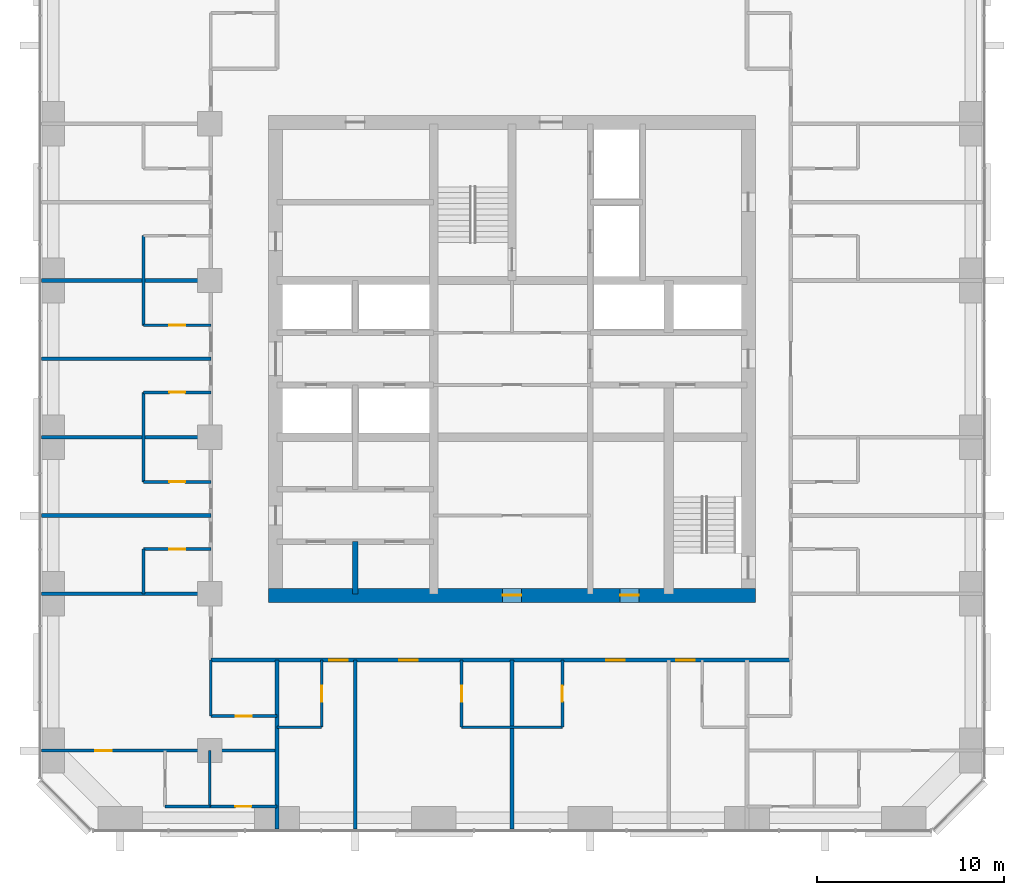
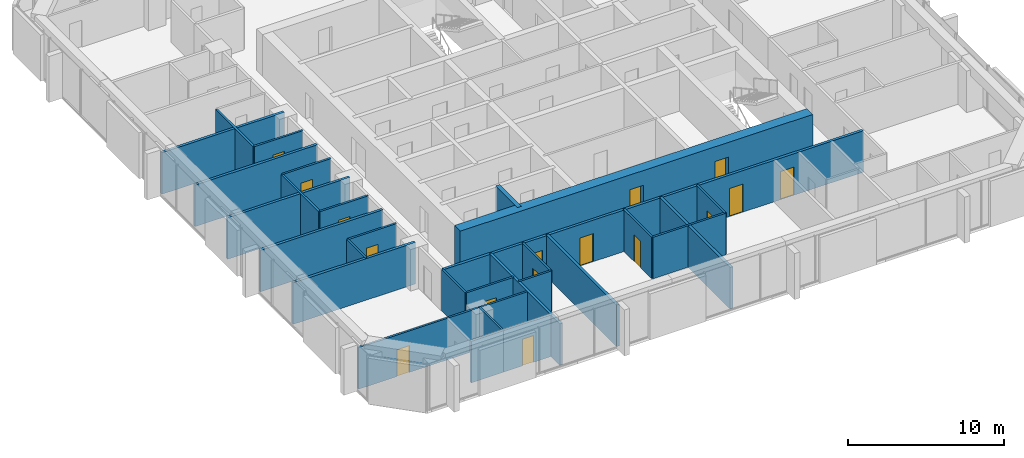
# One storey, part 8 of 13: 29 walls, 16 doors, 16 openings.
"""IFC4 building model written with IfcOpenShell, lengths in metres."""

from ifc_helpers import new_model, si_unit, direction, frame, frame_2d, origin, place, context, subcontext, project, spatial, rectangle, extrude, material, layer, layer_set, type_object, element, fill, save


model = new_model("IFC4")

# Units and contexts
model_context = context("Model", 3, precision=1e-05, world=origin(), true_north=direction((0.0, 1.0)))
body_context = subcontext(model_context, "Body", "Model", "MODEL_VIEW")
ifc_project = project(units=[si_unit("LENGTHUNIT", "METRE"), si_unit("AREAUNIT", "SQUARE_METRE"), si_unit("VOLUMEUNIT", "CUBIC_METRE"), si_unit("PLANEANGLEUNIT", "RADIAN"), si_unit("MASSUNIT", "GRAM", prefix="KILO")], contexts=[model_context])

# Site, building, storey
site_placement = place(None, origin())
site = spatial("IfcSite", under=ifc_project, at=site_placement, CompositionType="ELEMENT")
building_placement = place(site_placement, origin())
building = spatial("IfcBuilding", under=site, at=building_placement, Name="Dunama Terrace Hotel", CompositionType="ELEMENT")
storey_placement = place(building_placement, frame((0.0, 0.0, 166.199951171875)))
storey = spatial("IfcBuildingStorey", under=building, at=storey_placement, Name="L42", CompositionType="ELEMENT", Elevation=166.199951171875)

# Walls
ifc_material_1 = material(Name="Gypsum board partition", Category="masonry")
ifc_layer_1 = layer(ifc_material_1, 0.14990234375)
ifc_layer_set_1 = layer_set([ifc_layer_1], Name="Bathroom partition 150")
wall_type_1 = type_object("IfcWallType", Name="Bathroom partition 150", PredefinedType="PARTITIONING", material=ifc_layer_set_1)
wall_1_placement = place(storey_placement, frame((9.64990234375, 16.800048828125, 0.0), z_axis=(0.0, 0.0, 1.0), x_axis=(0.0, 1.0, 0.0)))
element("IfcWall", 1, at=wall_1_placement, inside=storey, type_object=wall_type_1, Name="Bathroom partition 150 L42", PredefinedType="PARTITIONING", context=body_context, shape_type="SweptSolid", body=[
    extrude(rectangle(XDim=2.39990234375, YDim=0.14990234375, at=frame_2d((1.199951171875, 0.0))), origin(), (0.0, 0.0, 1.0), 3.25),
])
for number, where, z_axis, x_axis, name in (
    (2, (9.64990234375, 22.800048828125, 0.0), (0.0, 0.0, 1.0), (0.0, 1.0, 0.0), "Bathroom partition 150 L42"),
    (3, (9.64990234375, 31.199951171875, 0.0), (0.0, 0.0, 1.0), (0.0, 1.0, 0.0), "Bathroom partition 150 L42"),
):
    element("IfcWall", number, at=place(storey_placement, frame(where, z_axis=z_axis, x_axis=x_axis)), inside=storey, type_object=wall_type_1, Name=name, PredefinedType="PARTITIONING", context=body_context, shape_type="SweptSolid", body=[
        extrude(rectangle(XDim=4.800048828125, YDim=0.14990234375, at=frame_2d((2.39990234375, 0.0))), origin(), (0.0, 0.0, 1.0), 3.25),
    ])
wall_2_placement = place(storey_placement, frame((13.25, 10.25, 0.0), z_axis=(0.0, 0.0, 1.0), x_axis=(0.0, 1.0, 0.0)))
element("IfcWall", 4, at=wall_2_placement, inside=storey, type_object=wall_type_1, Name="Bathroom partition 150 L42", PredefinedType="PARTITIONING", context=body_context, shape_type="SweptSolid", body=[
    extrude(rectangle(XDim=3.0, YDim=0.14990234375, at=frame_2d((1.5, 0.0))), origin(), (0.0, 0.0, 1.0), 3.25),
])

# Wall, opening, door
wall_3_placement = place(storey_placement, frame((19.199951171875, 9.64990234375, 0.0), z_axis=(0.0, 0.0, 1.0), x_axis=(0.0, 1.0, 0.0)))
wall_3 = element("IfcWall", 5, at=wall_3_placement, inside=storey, type_object=wall_type_1, Name="Bathroom partition 150 L42", PredefinedType="PARTITIONING", context=body_context, shape_type="SweptSolid", body=[
    extrude(rectangle(XDim=3.60009765625, YDim=0.14990234375, at=frame_2d((1.800048828125, 0.0))), origin(), (0.0, 0.0, 1.0), 3.25),
])
opening_1_placement = place(wall_3_placement, frame((1.375, 0.0, 0.0)))
opening_1 = element("IfcOpeningElement", 6, at=opening_1_placement, cuts=wall_3, Name="Opening L42-44-010", PredefinedType="OPENING", context=body_context, shape_type="SweptSolid", body=[
    extrude(rectangle(XDim=0.85009765625, YDim=2.10009765625, at=frame_2d((0.425048828125, 1.050048828125))), frame((0.0, 0.0849609375, 0.0), z_axis=(0.0, -1.0, 0.0), x_axis=(1.0, 0.0, 0.0)), (0.0, 0.0, 1.0), 0.169921875),
])
ifc_material_2 = material(Name="Timber door with steel frame", Category="steel")
door_type_1 = type_object("IfcDoorType", Name="Bathroom door 850", OperationType="SINGLE_SWING_LEFT", PredefinedType="DOOR", material=ifc_material_2)
door_1_placement = place(opening_1_placement, origin())
door_1 = element("IfcDoor", 7, at=door_1_placement, inside=storey, type_object=door_type_1, Name="Door to en-suite bathroom L42-44-010, type D2", OperationType="SINGLE_SWING_RIGHT", OverallHeight=2.10009765625, OverallWidth=0.85009765625, PredefinedType="DOOR", context=body_context, shape_type="SweptSolid", body=[
    extrude(rectangle(XDim=0.85009765625, YDim=2.10009765625, at=frame_2d((0.425048828125, 1.050048828125))), frame((0.0, 0.02490234375, 0.0), z_axis=(0.0, -1.0, 0.0), x_axis=(1.0, 0.0, 0.0)), (0.0, 0.0, 1.0), 0.050048828125),
])
fill(opening_1, door_1)

wall_4_placement = place(storey_placement, frame((26.699951171875, 9.64990234375, 0.0), z_axis=(0.0, 0.0, 1.0), x_axis=(0.0, 1.0, 0.0)))
wall_4 = element("IfcWall", 8, at=wall_4_placement, inside=storey, type_object=wall_type_1, Name="Bathroom partition 150 L42", PredefinedType="PARTITIONING", context=body_context, shape_type="SweptSolid", body=[
    extrude(rectangle(XDim=3.60009765625, YDim=0.14990234375, at=frame_2d((1.800048828125, 0.0))), origin(), (0.0, 0.0, 1.0), 3.25),
])
opening_2_placement = place(wall_4_placement, frame((1.375, 0.0, 0.0)))
opening_2 = element("IfcOpeningElement", 9, at=opening_2_placement, cuts=wall_4, Name="Opening L42-44-012", PredefinedType="OPENING", context=body_context, shape_type="SweptSolid", body=[
    extrude(rectangle(XDim=0.85009765625, YDim=2.10009765625, at=frame_2d((0.425048828125, 1.050048828125))), frame((0.0, 0.0849609375, 0.0), z_axis=(0.0, -1.0, 0.0), x_axis=(1.0, 0.0, 0.0)), (0.0, 0.0, 1.0), 0.169921875),
])
door_2_placement = place(opening_2_placement, frame((0.85009765625, 0.0, 0.0), z_axis=(0.0, 0.0, 1.0), x_axis=(-1.0, 0.0, 0.0)))
door_2 = element("IfcDoor", 10, at=door_2_placement, inside=storey, type_object=door_type_1, Name="Door to en-suite bathroom L42-44-012, type D2", OperationType="SINGLE_SWING_LEFT", OverallHeight=2.10009765625, OverallWidth=0.85009765625, PredefinedType="DOOR", context=body_context, shape_type="SweptSolid", body=[
    extrude(rectangle(XDim=0.85009765625, YDim=2.10009765625, at=frame_2d((0.425048828125, 1.050048828125))), frame((0.0, 0.025146484375, 0.0), z_axis=(0.0, -1.0, 0.0), x_axis=(1.0, 0.0, 0.0)), (0.0, 0.0, 1.0), 0.050048828125),
])
fill(opening_2, door_2)

wall_5_placement = place(storey_placement, frame((32.10009765625, 9.64990234375, 0.0), z_axis=(0.0, 0.0, 1.0), x_axis=(0.0, 1.0, 0.0)))
wall_5 = element("IfcWall", 11, at=wall_5_placement, inside=storey, type_object=wall_type_1, Name="Bathroom partition 150 L42", PredefinedType="PARTITIONING", context=body_context, shape_type="SweptSolid", body=[
    extrude(rectangle(XDim=3.60009765625, YDim=0.14990234375, at=frame_2d((1.800048828125, 0.0))), origin(), (0.0, 0.0, 1.0), 3.25),
])
opening_3_placement = place(wall_5_placement, frame((1.375, 0.0, 0.0)))
opening_3 = element("IfcOpeningElement", 12, at=opening_3_placement, cuts=wall_5, Name="Opening L42-44-014", PredefinedType="OPENING", context=body_context, shape_type="SweptSolid", body=[
    extrude(rectangle(XDim=0.85009765625, YDim=2.10009765625, at=frame_2d((0.425048828125, 1.050048828125))), frame((0.0, 0.0849609375, 0.0), z_axis=(0.0, -1.0, 0.0), x_axis=(1.0, 0.0, 0.0)), (0.0, 0.0, 1.0), 0.169921875),
])
door_3_placement = place(opening_3_placement, origin())
door_3 = element("IfcDoor", 13, at=door_3_placement, inside=storey, type_object=door_type_1, Name="Door to en-suite bathroom L42-44-014, type D2", OperationType="SINGLE_SWING_RIGHT", OverallHeight=2.10009765625, OverallWidth=0.85009765625, PredefinedType="DOOR", context=body_context, shape_type="SweptSolid", body=[
    extrude(rectangle(XDim=0.85009765625, YDim=2.10009765625, at=frame_2d((0.425048828125, 1.050048828125))), frame((0.0, 0.02490234375, 0.0), z_axis=(0.0, -1.0, 0.0), x_axis=(1.0, 0.0, 0.0)), (0.0, 0.0, 1.0), 0.050048828125),
])
fill(opening_3, door_3)

wall_6_placement = place(storey_placement, frame((13.199951171875, 5.39990234375, 0.0), z_axis=(0.0, 0.0, 1.0), x_axis=(1.0, 0.0, 0.0)))
wall_6 = element("IfcWall", 14, at=wall_6_placement, inside=storey, type_object=wall_type_1, Name="Bathroom partition 150 L42", PredefinedType="PARTITIONING", context=body_context, shape_type="SweptSolid", body=[
    extrude(rectangle(XDim=3.60009765625, YDim=0.14990234375, at=frame_2d((1.800048828125, 0.0))), origin(), (0.0, 0.0, 1.0), 3.25),
])
opening_4_placement = place(wall_6_placement, frame((1.375, 0.0, 0.0)))
opening_4 = element("IfcOpeningElement", 15, at=opening_4_placement, cuts=wall_6, Name="Opening L42-44-041", PredefinedType="OPENING", context=body_context, shape_type="SweptSolid", body=[
    extrude(rectangle(XDim=0.85009765625, YDim=2.10009765625, at=frame_2d((0.425048828125, 1.050048828125))), frame((0.0, 0.0849609375, 0.0), z_axis=(0.0, -1.0, 0.0), x_axis=(1.0, 0.0, 0.0)), (0.0, 0.0, 1.0), 0.169921875),
])
door_4_placement = place(opening_4_placement, origin())
door_4 = element("IfcDoor", 16, at=door_4_placement, inside=storey, type_object=door_type_1, Name="Door to en-suite bathroom L42-44-041, type D2", OperationType="SINGLE_SWING_RIGHT", OverallHeight=2.10009765625, OverallWidth=0.85009765625, PredefinedType="DOOR", context=body_context, shape_type="SweptSolid", body=[
    extrude(rectangle(XDim=0.85009765625, YDim=2.10009765625, at=frame_2d((0.425048828125, 1.050048828125))), frame((0.0, 0.02490234375, 0.0), z_axis=(0.0, -1.0, 0.0), x_axis=(1.0, 0.0, 0.0)), (0.0, 0.0, 1.0), 0.050048828125),
])
fill(opening_4, door_4)

# Walls
wall_7_placement = place(storey_placement, frame((16.800048828125, 9.64990234375, 0.0), z_axis=(0.0, 0.0, 1.0), x_axis=(1.0, 0.0, 0.0)))
element("IfcWall", 17, at=wall_7_placement, inside=storey, type_object=wall_type_1, Name="Bathroom partition 150 L42", PredefinedType="PARTITIONING", context=body_context, shape_type="SweptSolid", body=[
    extrude(rectangle(XDim=2.39990234375, YDim=0.14990234375, at=frame_2d((1.199951171875, 0.0))), origin(), (0.0, 0.0, 1.0), 3.25),
])
wall_8_placement = place(storey_placement, frame((26.699951171875, 9.64990234375, 0.0), z_axis=(0.0, 0.0, 1.0), x_axis=(1.0, 0.0, 0.0)))
element("IfcWall", 18, at=wall_8_placement, inside=storey, type_object=wall_type_1, Name="Bathroom partition 150 L42", PredefinedType="PARTITIONING", context=body_context, shape_type="SweptSolid", body=[
    extrude(rectangle(XDim=5.400146484375, YDim=0.14990234375, at=frame_2d((2.7001953125, 0.0))), origin(), (0.0, 0.0, 1.0), 3.25),
])

# Wall, opening, door
wall_9_placement = place(storey_placement, frame((13.25, 10.25, 0.0), z_axis=(0.0, 0.0, 1.0), x_axis=(1.0, 0.0, 0.0)))
wall_9 = element("IfcWall", 19, at=wall_9_placement, inside=storey, type_object=wall_type_1, Name="Bathroom partition 150 L42", PredefinedType="PARTITIONING", context=body_context, shape_type="SweptSolid", body=[
    extrude(rectangle(XDim=3.550048828125, YDim=0.14990234375, at=frame_2d((1.77490234375, 0.0))), origin(), (0.0, 0.0, 1.0), 3.25),
])
opening_5_placement = place(wall_9_placement, frame((1.35009765625, 0.0, 0.0)))
opening_5 = element("IfcOpeningElement", 20, at=opening_5_placement, cuts=wall_9, Name="Opening L42-44-039", PredefinedType="OPENING", context=body_context, shape_type="SweptSolid", body=[
    extrude(rectangle(XDim=0.85009765625, YDim=2.10009765625, at=frame_2d((0.425048828125, 1.050048828125))), frame((0.0, 0.0849609375, 0.0), z_axis=(0.0, -1.0, 0.0), x_axis=(1.0, 0.0, 0.0)), (0.0, 0.0, 1.0), 0.169921875),
])
door_5_placement = place(opening_5_placement, origin())
door_5 = element("IfcDoor", 21, at=door_5_placement, inside=storey, type_object=door_type_1, Name="Door to powder room L42-44-039, type D2", OperationType="SINGLE_SWING_RIGHT", OverallHeight=2.10009765625, OverallWidth=0.85009765625, PredefinedType="DOOR", context=body_context, shape_type="SweptSolid", body=[
    extrude(rectangle(XDim=0.85009765625, YDim=2.10009765625, at=frame_2d((0.425048828125, 1.050048828125))), frame((0.0, 0.02490234375, 0.0), z_axis=(0.0, -1.0, 0.0), x_axis=(1.0, 0.0, 0.0)), (0.0, 0.0, 1.0), 0.050048828125),
])
fill(opening_5, door_5)

wall_10_placement = place(storey_placement, frame((9.64990234375, 19.199951171875, 0.0), z_axis=(0.0, 0.0, 1.0), x_axis=(1.0, 0.0, 0.0)))
wall_10 = element("IfcWall", 22, at=wall_10_placement, inside=storey, type_object=wall_type_1, Name="Bathroom partition 150 L42", PredefinedType="PARTITIONING", context=body_context, shape_type="SweptSolid", body=[
    extrude(rectangle(XDim=3.60009765625, YDim=0.14990234375, at=frame_2d((1.800048828125, 0.0))), origin(), (0.0, 0.0, 1.0), 3.25),
])
opening_6_placement = place(wall_10_placement, frame((1.375, 0.0, 0.0)))
opening_6 = element("IfcOpeningElement", 23, at=opening_6_placement, cuts=wall_10, Name="Opening L42-44-027", PredefinedType="OPENING", context=body_context, shape_type="SweptSolid", body=[
    extrude(rectangle(XDim=0.85009765625, YDim=2.10009765625, at=frame_2d((0.425048828125, 1.050048828125))), frame((0.0, 0.0849609375, 0.0), z_axis=(0.0, -1.0, 0.0), x_axis=(1.0, 0.0, 0.0)), (0.0, 0.0, 1.0), 0.169921875),
])
door_6_placement = place(opening_6_placement, frame((0.85009765625, 0.0, 0.0), z_axis=(0.0, 0.0, 1.0), x_axis=(-1.0, 0.0, 0.0)))
door_6 = element("IfcDoor", 24, at=door_6_placement, inside=storey, type_object=door_type_1, Name="Door to en-suite bathroom L42-44-027, type D2", OperationType="SINGLE_SWING_LEFT", OverallHeight=2.10009765625, OverallWidth=0.85009765625, PredefinedType="DOOR", context=body_context, shape_type="SweptSolid", body=[
    extrude(rectangle(XDim=0.85009765625, YDim=2.10009765625, at=frame_2d((0.425048828125, 1.050048828125))), frame((0.0, 0.025146484375, 0.0), z_axis=(0.0, -1.0, 0.0), x_axis=(1.0, 0.0, 0.0)), (0.0, 0.0, 1.0), 0.050048828125),
])
fill(opening_6, door_6)

wall_11_placement = place(storey_placement, frame((9.64990234375, 22.800048828125, 0.0), z_axis=(0.0, 0.0, 1.0), x_axis=(1.0, 0.0, 0.0)))
wall_11 = element("IfcWall", 25, at=wall_11_placement, inside=storey, type_object=wall_type_1, Name="Bathroom partition 150 L42", PredefinedType="PARTITIONING", context=body_context, shape_type="SweptSolid", body=[
    extrude(rectangle(XDim=3.60009765625, YDim=0.14990234375, at=frame_2d((1.800048828125, 0.0))), origin(), (0.0, 0.0, 1.0), 3.25),
])
opening_7_placement = place(wall_11_placement, frame((1.375, 0.0, 0.0)))
opening_7 = element("IfcOpeningElement", 26, at=opening_7_placement, cuts=wall_11, Name="Opening L42-44-029", PredefinedType="OPENING", context=body_context, shape_type="SweptSolid", body=[
    extrude(rectangle(XDim=0.85009765625, YDim=2.10009765625, at=frame_2d((0.425048828125, 1.050048828125))), frame((0.0, 0.0849609375, 0.0), z_axis=(0.0, -1.0, 0.0), x_axis=(1.0, 0.0, 0.0)), (0.0, 0.0, 1.0), 0.169921875),
])
door_7_placement = place(opening_7_placement, origin())
door_7 = element("IfcDoor", 27, at=door_7_placement, inside=storey, type_object=door_type_1, Name="Door to en-suite bathroom L42-44-029, type D2", OperationType="SINGLE_SWING_RIGHT", OverallHeight=2.10009765625, OverallWidth=0.85009765625, PredefinedType="DOOR", context=body_context, shape_type="SweptSolid", body=[
    extrude(rectangle(XDim=0.85009765625, YDim=2.10009765625, at=frame_2d((0.425048828125, 1.050048828125))), frame((0.0, 0.02490234375, 0.0), z_axis=(0.0, -1.0, 0.0), x_axis=(1.0, 0.0, 0.0)), (0.0, 0.0, 1.0), 0.050048828125),
])
fill(opening_7, door_7)

wall_12_placement = place(storey_placement, frame((9.64990234375, 27.60009765625, 0.0), z_axis=(0.0, 0.0, 1.0), x_axis=(1.0, 0.0, 0.0)))
wall_12 = element("IfcWall", 28, at=wall_12_placement, inside=storey, type_object=wall_type_1, Name="Bathroom partition 150 L42", PredefinedType="PARTITIONING", context=body_context, shape_type="SweptSolid", body=[
    extrude(rectangle(XDim=3.60009765625, YDim=0.14990234375, at=frame_2d((1.800048828125, 0.0))), origin(), (0.0, 0.0, 1.0), 3.25),
])
opening_8_placement = place(wall_12_placement, frame((1.375, 0.0, 0.0)))
opening_8 = element("IfcOpeningElement", 29, at=opening_8_placement, cuts=wall_12, Name="Opening L42-44-031", PredefinedType="OPENING", context=body_context, shape_type="SweptSolid", body=[
    extrude(rectangle(XDim=0.85009765625, YDim=2.10009765625, at=frame_2d((0.425048828125, 1.050048828125))), frame((0.0, 0.0849609375, 0.0), z_axis=(0.0, -1.0, 0.0), x_axis=(1.0, 0.0, 0.0)), (0.0, 0.0, 1.0), 0.169921875),
])
door_8_placement = place(opening_8_placement, frame((0.85009765625, 0.0, 0.0), z_axis=(0.0, 0.0, 1.0), x_axis=(-1.0, 0.0, 0.0)))
door_8 = element("IfcDoor", 30, at=door_8_placement, inside=storey, type_object=door_type_1, Name="Door to en-suite bathroom L42-44-031, type D2", OperationType="SINGLE_SWING_LEFT", OverallHeight=2.10009765625, OverallWidth=0.85009765625, PredefinedType="DOOR", context=body_context, shape_type="SweptSolid", body=[
    extrude(rectangle(XDim=0.85009765625, YDim=2.10009765625, at=frame_2d((0.425048828125, 1.050048828125))), frame((0.0, 0.025146484375, 0.0), z_axis=(0.0, -1.0, 0.0), x_axis=(1.0, 0.0, 0.0)), (0.0, 0.0, 1.0), 0.050048828125),
])
fill(opening_8, door_8)

wall_13_placement = place(storey_placement, frame((9.64990234375, 31.199951171875, 0.0), z_axis=(0.0, 0.0, 1.0), x_axis=(1.0, 0.0, 0.0)))
wall_13 = element("IfcWall", 31, at=wall_13_placement, inside=storey, type_object=wall_type_1, Name="Bathroom partition 150 L42", PredefinedType="PARTITIONING", context=body_context, shape_type="SweptSolid", body=[
    extrude(rectangle(XDim=3.60009765625, YDim=0.14990234375, at=frame_2d((1.800048828125, 0.0))), origin(), (0.0, 0.0, 1.0), 3.25),
])
opening_9_placement = place(wall_13_placement, frame((1.375, 0.0, 0.0)))
opening_9 = element("IfcOpeningElement", 32, at=opening_9_placement, cuts=wall_13, Name="Opening L42-44-033", PredefinedType="OPENING", context=body_context, shape_type="SweptSolid", body=[
    extrude(rectangle(XDim=0.85009765625, YDim=2.10009765625, at=frame_2d((0.425048828125, 1.050048828125))), frame((0.0, 0.0849609375, 0.0), z_axis=(0.0, -1.0, 0.0), x_axis=(1.0, 0.0, 0.0)), (0.0, 0.0, 1.0), 0.169921875),
])
door_9_placement = place(opening_9_placement, origin())
door_9 = element("IfcDoor", 33, at=door_9_placement, inside=storey, type_object=door_type_1, Name="Door to en-suite bathroom L42-44-033, type D2", OperationType="SINGLE_SWING_RIGHT", OverallHeight=2.10009765625, OverallWidth=0.85009765625, PredefinedType="DOOR", context=body_context, shape_type="SweptSolid", body=[
    extrude(rectangle(XDim=0.85009765625, YDim=2.10009765625, at=frame_2d((0.425048828125, 1.050048828125))), frame((0.0, 0.02490234375, 0.0), z_axis=(0.0, -1.0, 0.0), x_axis=(1.0, 0.0, 0.0)), (0.0, 0.0, 1.0), 0.050048828125),
])
fill(opening_9, door_9)

# Wall
ifc_material_3 = material(Name="Concrete C50/60", Category="concrete")
ifc_layer_2 = layer(ifc_material_3, 0.300048828125)
ifc_layer_set_2 = layer_set([ifc_layer_2], Name="Core inner wall 300")
wall_type_2 = type_object("IfcWallType", Name="Core inner wall 300", PredefinedType="SHEAR", material=ifc_layer_set_2)
wall_14_placement = place(storey_placement, frame((21.0, 16.800048828125, -0.349853515625), z_axis=(0.0, 0.0, 1.0), x_axis=(0.0, 1.0, 0.0)))
element("IfcWall", 34, at=wall_14_placement, inside=storey, type_object=wall_type_2, Name="Core inner wall 300 L42", PredefinedType="SHEAR", context=body_context, shape_type="SweptSolid", body=[
    extrude(rectangle(XDim=2.800048828125, YDim=0.300048828125, at=frame_2d((1.39990234375, 0.0))), origin(), (0.0, 0.0, 1.0), 3.599853515625),
])

# Wall, openings, doors
ifc_material_4 = material(Name="Concrete C60/75", Category="concrete")
ifc_layer_3 = layer(ifc_material_4, 0.75)
ifc_layer_set_3 = layer_set([ifc_layer_3], Name="Core wall 750")
wall_type_3 = type_object("IfcWallType", Name="Core wall 750", PredefinedType="SHEAR", material=ifc_layer_set_3)
wall_15_placement = place(storey_placement, frame((16.35009765625, 16.72509765625, -0.349853515625), z_axis=(0.0, 0.0, 1.0), x_axis=(1.0, 0.0, 0.0)))
wall_15 = element("IfcWall", 35, at=wall_15_placement, inside=storey, type_object=wall_type_3, Name="Core wall south L42", PredefinedType="SHEAR", context=body_context, shape_type="SweptSolid", body=[
    extrude(rectangle(XDim=26.099853515625, YDim=0.75, at=frame_2d((13.0498046875, 0.0))), origin(), (0.0, 0.0, 1.0), 3.599853515625),
])
opening_10_placement = place(wall_15_placement, frame((12.550048828125, 0.0, 0.35009765625)))
opening_10 = element("IfcOpeningElement", 36, at=opening_10_placement, cuts=wall_15, Name="Opening L42-44-075", PredefinedType="OPENING", context=body_context, shape_type="SweptSolid", body=[
    extrude(rectangle(XDim=1.0, YDim=2.10009765625, at=frame_2d((0.5, 1.050048828125))), frame((0.0, 0.385009765625, 0.0), z_axis=(0.0, -1.0, 0.0), x_axis=(1.0, 0.0, 0.0)), (0.0, 0.0, 1.0), 0.77001953125),
])
opening_11_placement = place(wall_15_placement, frame((18.85009765625, 0.0, 0.35009765625)))
opening_11 = element("IfcOpeningElement", 37, at=opening_11_placement, cuts=wall_15, Name="Opening L42-44-077", PredefinedType="OPENING", context=body_context, shape_type="SweptSolid", body=[
    extrude(rectangle(XDim=1.0, YDim=2.10009765625, at=frame_2d((0.5, 1.050048828125))), frame((0.0, 0.385009765625, 0.0), z_axis=(0.0, -1.0, 0.0), x_axis=(1.0, 0.0, 0.0)), (0.0, 0.0, 1.0), 0.77001953125),
])
ifc_material_5 = material(Name="Timber door with steel frame", Category="steel")
door_type_2 = type_object("IfcDoorType", Name="Service door 1000", OperationType="SINGLE_SWING_LEFT", PredefinedType="DOOR", material=ifc_material_5)
door_10_placement = place(opening_10_placement, origin())
door_10 = element("IfcDoor", 38, at=door_10_placement, inside=storey, type_object=door_type_2, Name="Door to corridor air handling room L42-44-075, type D7", OperationType="SINGLE_SWING_LEFT", OverallHeight=2.10009765625, OverallWidth=1.0, PredefinedType="DOOR", context=body_context, shape_type="SweptSolid", body=[
    extrude(rectangle(XDim=1.0, YDim=2.10009765625, at=frame_2d((0.5, 1.050048828125))), frame((0.0, 0.02490234375, 0.0), z_axis=(0.0, -1.0, 0.0), x_axis=(1.0, 0.0, 0.0)), (0.0, 0.0, 1.0), 0.050048828125),
])
fill(opening_10, door_10)
door_11_placement = place(opening_11_placement, origin())
door_11 = element("IfcDoor", 39, at=door_11_placement, inside=storey, type_object=door_type_2, Name="Door to water riser room L42-44-077, type D7", OperationType="SINGLE_SWING_RIGHT", OverallHeight=2.10009765625, OverallWidth=1.0, PredefinedType="DOOR", context=body_context, shape_type="SweptSolid", body=[
    extrude(rectangle(XDim=1.0, YDim=2.10009765625, at=frame_2d((0.5, 1.050048828125))), frame((0.0, 0.02490234375, 0.0), z_axis=(0.0, -1.0, 0.0), x_axis=(1.0, 0.0, 0.0)), (0.0, 0.0, 1.0), 0.050048828125),
])
fill(opening_11, door_11)

ifc_material_6 = material(Name="Concrete blockwork", Category="masonry")
ifc_layer_4 = layer(ifc_material_6, 0.199951171875)
ifc_layer_set_4 = layer_set([ifc_layer_4], Name="Corridor partition 200")
wall_type_4 = type_object("IfcWallType", Name="Corridor partition 200", PredefinedType="PARTITIONING", material=ifc_layer_set_4)
wall_16_placement = place(storey_placement, frame((44.35009765625, 13.25, 0.0), z_axis=(0.0, 0.0, 1.0), x_axis=(-1.0, 0.0, 0.0)))
wall_16 = element("IfcWall", 40, at=wall_16_placement, inside=storey, type_object=wall_type_4, Name="Corridor partition 200 L42", PredefinedType="PARTITIONING", context=body_context, shape_type="SweptSolid", body=[
    extrude(rectangle(XDim=31.10009765625, YDim=0.199951171875, at=frame_2d((15.550048828125, 0.0))), origin(), (0.0, 0.0, 1.0), 3.25),
])
opening_12_placement = place(wall_16_placement, frame((23.75, 0.0, 0.0)))
opening_12 = element("IfcOpeningElement", 41, at=opening_12_placement, cuts=wall_16, Name="Opening L42-44-009", PredefinedType="OPENING", context=body_context, shape_type="SweptSolid", body=[
    extrude(rectangle(XDim=1.0, YDim=2.199951171875, at=frame_2d((0.5, 1.10009765625))), frame((0.0, 0.10986328125, 0.0), z_axis=(0.0, -1.0, 0.0), x_axis=(1.0, 0.0, 0.0)), (0.0, 0.0, 1.0), 0.219970703125),
])
opening_13_placement = place(wall_16_placement, frame((20.0, 0.0, 0.0)))
opening_13 = element("IfcOpeningElement", 42, at=opening_13_placement, cuts=wall_16, Name="Opening L42-44-011", PredefinedType="OPENING", context=body_context, shape_type="SweptSolid", body=[
    extrude(rectangle(XDim=1.0, YDim=2.199951171875, at=frame_2d((0.5, 1.10009765625))), frame((0.0, 0.10986328125, 0.0), z_axis=(0.0, -1.0, 0.0), x_axis=(1.0, 0.0, 0.0)), (0.0, 0.0, 1.0), 0.219970703125),
])
opening_14_placement = place(wall_16_placement, frame((8.89990234375, 0.0, 0.0)))
opening_14 = element("IfcOpeningElement", 43, at=opening_14_placement, cuts=wall_16, Name="Opening L42-44-013", PredefinedType="OPENING", context=body_context, shape_type="SweptSolid", body=[
    extrude(rectangle(XDim=1.0, YDim=2.199951171875, at=frame_2d((0.5, 1.10009765625))), frame((0.0, 0.10986328125, 0.0), z_axis=(0.0, -1.0, 0.0), x_axis=(1.0, 0.0, 0.0)), (0.0, 0.0, 1.0), 0.219970703125),
])
opening_15_placement = place(wall_16_placement, frame((5.14990234375, 0.0, 0.0)))
opening_15 = element("IfcOpeningElement", 44, at=opening_15_placement, cuts=wall_16, Name="Opening L42-44-015", PredefinedType="OPENING", context=body_context, shape_type="SweptSolid", body=[
    extrude(rectangle(XDim=1.0, YDim=2.199951171875, at=frame_2d((0.5, 1.10009765625))), frame((0.0, 0.10986328125, 0.0), z_axis=(0.0, -1.0, 0.0), x_axis=(1.0, 0.0, 0.0)), (0.0, 0.0, 1.0), 0.219970703125),
])
ifc_material_7 = material(Name="Timber door with steel frame", Category="steel")
door_type_3 = type_object("IfcDoorType", Name="Guest room door 1000", OperationType="SINGLE_SWING_LEFT", PredefinedType="DOOR", material=ifc_material_7)
door_12_placement = place(opening_12_placement, origin())
door_12 = element("IfcDoor", 45, at=door_12_placement, inside=storey, type_object=door_type_3, Name="Door to club room L42-44-009, type D1", OperationType="SINGLE_SWING_LEFT", OverallHeight=2.199951171875, OverallWidth=1.0, PredefinedType="DOOR", context=body_context, shape_type="SweptSolid", body=[
    extrude(rectangle(XDim=1.0, YDim=2.199951171875, at=frame_2d((0.5, 1.10009765625))), frame((0.0, 0.02490234375, 0.0), z_axis=(0.0, -1.0, 0.0), x_axis=(1.0, 0.0, 0.0)), (0.0, 0.0, 1.0), 0.050048828125),
])
fill(opening_12, door_12)
door_13_placement = place(opening_13_placement, origin())
door_13 = element("IfcDoor", 46, at=door_13_placement, inside=storey, type_object=door_type_3, Name="Door to junior suite L42-44-011, type D1", OperationType="SINGLE_SWING_RIGHT", OverallHeight=2.199951171875, OverallWidth=1.0, PredefinedType="DOOR", context=body_context, shape_type="SweptSolid", body=[
    extrude(rectangle(XDim=1.0, YDim=2.199951171875, at=frame_2d((0.5, 1.10009765625))), frame((0.0, 0.02490234375, 0.0), z_axis=(0.0, -1.0, 0.0), x_axis=(1.0, 0.0, 0.0)), (0.0, 0.0, 1.0), 0.050048828125),
])
fill(opening_13, door_13)
door_14_placement = place(opening_14_placement, origin())
door_14 = element("IfcDoor", 47, at=door_14_placement, inside=storey, type_object=door_type_3, Name="Door to junior suite L42-44-013, type D1", OperationType="SINGLE_SWING_LEFT", OverallHeight=2.199951171875, OverallWidth=1.0, PredefinedType="DOOR", context=body_context, shape_type="SweptSolid", body=[
    extrude(rectangle(XDim=1.0, YDim=2.199951171875, at=frame_2d((0.5, 1.10009765625))), frame((0.0, 0.02490234375, 0.0), z_axis=(0.0, -1.0, 0.0), x_axis=(1.0, 0.0, 0.0)), (0.0, 0.0, 1.0), 0.050048828125),
])
fill(opening_14, door_14)
door_15_placement = place(opening_15_placement, origin())
door_15 = element("IfcDoor", 48, at=door_15_placement, inside=storey, type_object=door_type_3, Name="Door to club room L42-44-015, type D1", OperationType="SINGLE_SWING_RIGHT", OverallHeight=2.199951171875, OverallWidth=1.0, PredefinedType="DOOR", context=body_context, shape_type="SweptSolid", body=[
    extrude(rectangle(XDim=1.0, YDim=2.199951171875, at=frame_2d((0.5, 1.10009765625))), frame((0.0, 0.02490234375, 0.0), z_axis=(0.0, -1.0, 0.0), x_axis=(1.0, 0.0, 0.0)), (0.0, 0.0, 1.0), 0.050048828125),
])
fill(opening_15, door_15)

# Walls
ifc_material_8 = material(Name="Concrete blockwork", Category="masonry")
ifc_layer_5 = layer(ifc_material_8, 0.199951171875)
ifc_layer_set_5 = layer_set([ifc_layer_5], Name="Party wall 200")
wall_type_5 = type_object("IfcWallType", Name="Party wall 200", PredefinedType="PARTITIONING", material=ifc_layer_set_5)
for number, where, z_axis, x_axis, name in (
    (49, (16.800048828125, 4.181884765625, 0.0), (0.0, 0.0, 1.0), (0.0, 1.0, 0.0), "Party wall 200 L42"),
    (50, (21.0, 4.181884765625, 0.0), (0.0, 0.0, 1.0), (0.0, 1.0, 0.0), "Party wall 200 L42"),
    (51, (29.39990234375, 4.181884765625, 0.0), (0.0, 0.0, 1.0), (0.0, 1.0, 0.0), "Party wall 200 L42"),
    (52, (4.181884765625, 16.800048828125, 0.0), (0.0, 0.0, 1.0), (1.0, 0.0, 0.0), "Party wall 200 L42"),
    (53, (4.181884765625, 21.0, 0.0), (0.0, 0.0, 1.0), (1.0, 0.0, 0.0), "Party wall 200 L42"),
    (54, (4.181884765625, 25.199951171875, 0.0), (0.0, 0.0, 1.0), (1.0, 0.0, 0.0), "Party wall 200 L42"),
    (55, (4.181884765625, 29.39990234375, 0.0), (0.0, 0.0, 1.0), (1.0, 0.0, 0.0), "Party wall 200 L42"),
    (56, (4.181884765625, 33.60009765625, 0.0), (0.0, 0.0, 1.0), (1.0, 0.0, 0.0), "Party wall 200 L42"),
):
    element("IfcWall", number, at=place(storey_placement, frame(where, z_axis=z_axis, x_axis=x_axis)), inside=storey, type_object=wall_type_5, Name=name, PredefinedType="PARTITIONING", context=body_context, shape_type="SweptSolid", body=[
        extrude(rectangle(XDim=9.068115234375, YDim=0.199951171875, at=frame_2d((4.5341796875, 0.0))), origin(), (0.0, 0.0, 1.0), 3.25),
    ])
ifc_material_9 = material(Name="Gypsum board partition", Category="masonry")
ifc_layer_6 = layer(ifc_material_9, 0.14990234375)
ifc_layer_set_6 = layer_set([ifc_layer_6], Name="Room partition 150")
wall_type_6 = type_object("IfcWallType", Name="Room partition 150", PredefinedType="PARTITIONING", material=ifc_layer_set_6)
wall_17_placement = place(storey_placement, frame((13.199951171875, 5.39990234375, 0.0), z_axis=(0.0, 0.0, 1.0), x_axis=(0.0, 1.0, 0.0)))
element("IfcWall", 57, at=wall_17_placement, inside=storey, type_object=wall_type_6, Name="Room partition 150 L42", PredefinedType="PARTITIONING", context=body_context, shape_type="SweptSolid", body=[
    extrude(rectangle(XDim=3.0, YDim=0.14990234375, at=frame_2d((1.5, 0.0))), origin(), (0.0, 0.0, 1.0), 3.25),
])
wall_18_placement = place(storey_placement, frame((10.800048828125, 5.39990234375, 0.0), z_axis=(0.0, 0.0, 1.0), x_axis=(1.0, 0.0, 0.0)))
element("IfcWall", 58, at=wall_18_placement, inside=storey, type_object=wall_type_6, Name="Room partition 150 L42", PredefinedType="PARTITIONING", context=body_context, shape_type="SweptSolid", body=[
    extrude(rectangle(XDim=2.39990234375, YDim=0.14990234375, at=frame_2d((1.199951171875, 0.0))), origin(), (0.0, 0.0, 1.0), 3.25),
])

# Wall, opening, door
wall_19_placement = place(storey_placement, frame((4.181884765625, 8.39990234375, 0.0), z_axis=(0.0, 0.0, 1.0), x_axis=(1.0, 0.0, 0.0)))
wall_19 = element("IfcWall", 59, at=wall_19_placement, inside=storey, type_object=wall_type_6, Name="Room partition 150 L42", PredefinedType="PARTITIONING", context=body_context, shape_type="SweptSolid", body=[
    extrude(rectangle(XDim=12.6181640625, YDim=0.14990234375, at=frame_2d((6.30908203125, 0.0))), origin(), (0.0, 0.0, 1.0), 3.25),
])
opening_16_placement = place(wall_19_placement, frame((2.867919921875, 0.0, 0.0)))
opening_16 = element("IfcOpeningElement", 60, at=opening_16_placement, cuts=wall_19, Name="Opening L42-44-040", PredefinedType="OPENING", context=body_context, shape_type="SweptSolid", body=[
    extrude(rectangle(XDim=0.89990234375, YDim=2.10009765625, at=frame_2d((0.449951171875, 1.050048828125))), frame((0.0, 0.0849609375, 0.0), z_axis=(0.0, -1.0, 0.0), x_axis=(1.0, 0.0, 0.0)), (0.0, 0.0, 1.0), 0.169921875),
])
ifc_material_10 = material(Name="Timber door with steel frame", Category="steel")
door_type_4 = type_object("IfcDoorType", Name="Suite internal door 900", OperationType="SINGLE_SWING_LEFT", PredefinedType="DOOR", material=ifc_material_10)
door_16_placement = place(opening_16_placement, frame((0.89990234375, 0.0, 0.0), z_axis=(0.0, 0.0, 1.0), x_axis=(-1.0, 0.0, 0.0)))
door_16 = element("IfcDoor", 61, at=door_16_placement, inside=storey, type_object=door_type_4, Name="Door to corner suite bedroom L42-44-040, type D16", OperationType="SINGLE_SWING_RIGHT", OverallHeight=2.10009765625, OverallWidth=0.89990234375, PredefinedType="DOOR", context=body_context, shape_type="SweptSolid", body=[
    extrude(rectangle(XDim=0.89990234375, YDim=2.10009765625, at=frame_2d((0.449951171875, 1.050048828125))), frame((0.0, 0.025146484375, 0.0), z_axis=(0.0, -1.0, 0.0), x_axis=(1.0, 0.0, 0.0)), (0.0, 0.0, 1.0), 0.050048828125),
])
fill(opening_16, door_16)

save(model, "model.ifc")
